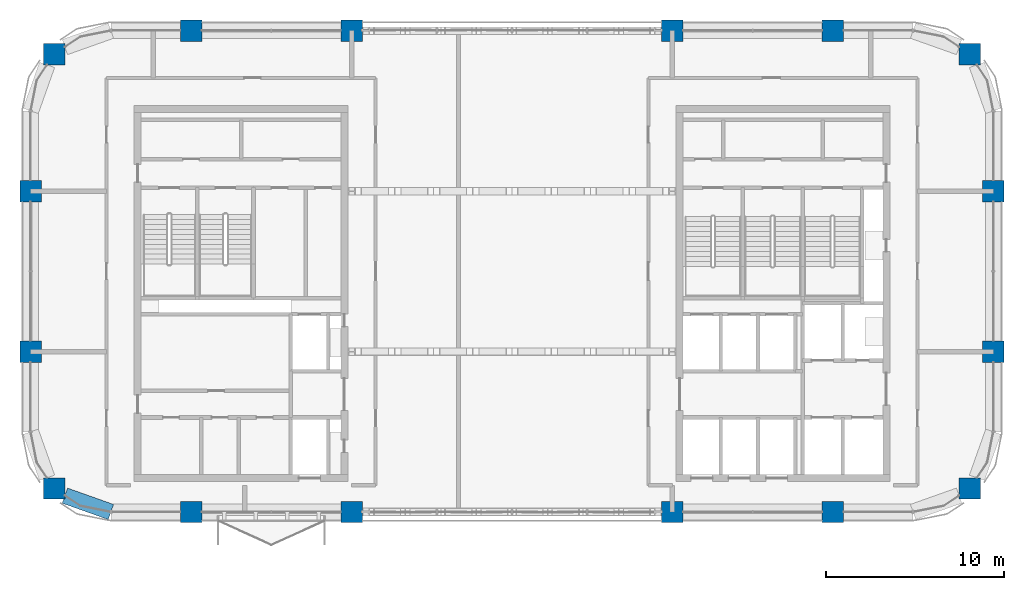
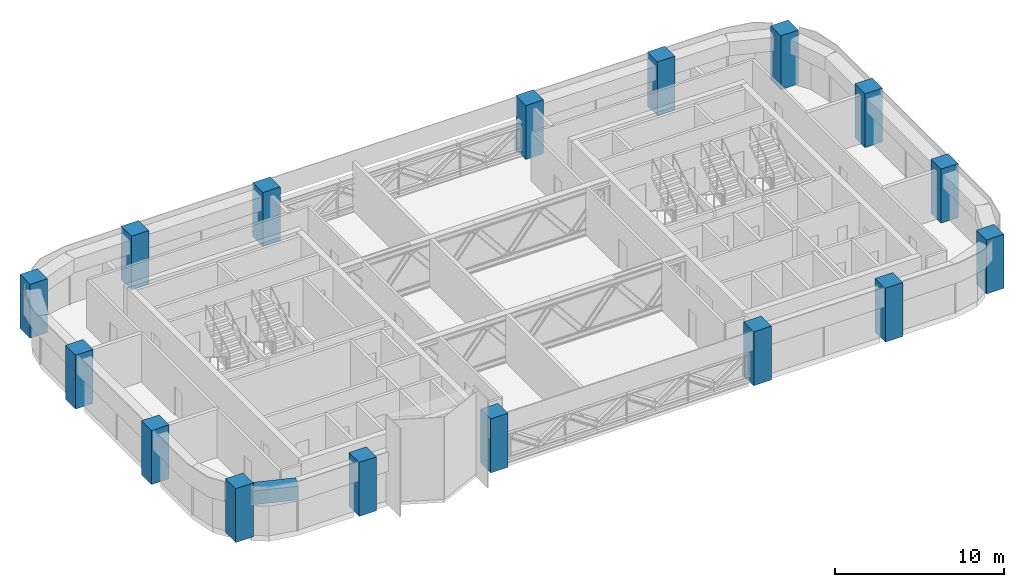
# One storey, part 1 of 14: 16 columns, 1 beam.
"""IFC4 building model written with IfcOpenShell, lengths in metres."""

from ifc_helpers import new_model, si_unit, direction, frame, origin, origin_2d, place, context, subcontext, project, spatial, rectangle, extrude, material, material_profile, profile_set, type_object, element, save


model = new_model("IFC4")

# Units and contexts
model_context = context("Model", 3, precision=1e-05, world=origin(), true_north=direction((0.0, 1.0)))
body_context = subcontext(model_context, "Body", "Model", "MODEL_VIEW")
ifc_project = project(units=[si_unit("LENGTHUNIT", "METRE"), si_unit("AREAUNIT", "SQUARE_METRE"), si_unit("VOLUMEUNIT", "CUBIC_METRE"), si_unit("PLANEANGLEUNIT", "RADIAN"), si_unit("MASSUNIT", "GRAM", prefix="KILO")], contexts=[model_context])

# Site, building, storey
site_placement = place(None, origin())
site = spatial("IfcSite", under=ifc_project, at=site_placement, CompositionType="ELEMENT")
building_placement = place(site_placement, origin())
building = spatial("IfcBuilding", under=site, at=building_placement, Name="Tessera Arch", CompositionType="ELEMENT")
storey_placement = place(building_placement, frame((0.0, 0.0, 226.699951171875)))
storey = spatial("IfcBuildingStorey", under=building, at=storey_placement, Name="L54", CompositionType="ELEMENT", Elevation=226.699951171875)

# Columns
ifc_material_1 = material(Name="Concrete C60/75", Category="concrete")
ifc_material_profile_1 = material_profile(ifc_material_1, rectangle(XDim=1.199951171875, YDim=1.199951171875, at=origin_2d()), Name="RC column 1200 x 1200 Concrete C60/75")
ifc_profile_set_1 = profile_set([ifc_material_profile_1], Name="Concrete C60/75")
column_type = type_object("IfcColumnType", Name="RC column 1200 x 1200 Concrete C60/75", PredefinedType="COLUMN", material=ifc_profile_set_1)
for number, where, z_axis, x_axis, name in (
    (1, (1.318115234375, 28.318115234375, 0.0), (0.0, 0.0, 1.0), (1.0, 0.0, 0.0), "Column C1D L54"),
    (2, (0.0, 36.0, 0.0), (0.0, 0.0, 1.0), (1.0, 0.0, 0.0), "Column C1E L54"),
    (3, (0.0, 45.0, 0.0), (0.0, 0.0, 1.0), (1.0, 0.0, 0.0), "Column C1F L54"),
    (4, (1.318115234375, 52.681884765625, 0.0), (0.0, 0.0, 1.0), (1.0, 0.0, 0.0), "Column C1G L54"),
    (5, (9.0, 27.0, 0.0), (0.0, 0.0, 1.0), (1.0, 0.0, 0.0), "Column C2D L54"),
    (6, (9.0, 54.0, 0.0), (0.0, 0.0, 1.0), (1.0, 0.0, 0.0), "Column C2G L54"),
    (7, (18.0, 27.0, 0.0), (0.0, 0.0, 1.0), (1.0, 0.0, 0.0), "Column C3D L54"),
    (8, (18.0, 54.0, 0.0), (0.0, 0.0, 1.0), (1.0, 0.0, 0.0), "Column C3G L54"),
    (9, (36.0, 27.0, 0.0), (0.0, 0.0, 1.0), (1.0, 0.0, 0.0), "Column C5D L54"),
    (10, (36.0, 54.0, 0.0), (0.0, 0.0, 1.0), (1.0, 0.0, 0.0), "Column C5G L54"),
    (11, (45.0, 27.0, 0.0), (0.0, 0.0, 1.0), (1.0, 0.0, 0.0), "Column C6D L54"),
    (12, (45.0, 54.0, 0.0), (0.0, 0.0, 1.0), (1.0, 0.0, 0.0), "Column C6G L54"),
    (13, (52.681884765625, 28.318115234375, 0.0), (0.0, 0.0, 1.0), (1.0, 0.0, 0.0), "Column C7D L54"),
    (14, (54.0, 36.0, 0.0), (0.0, 0.0, 1.0), (1.0, 0.0, 0.0), "Column C7E L54"),
    (15, (54.0, 45.0, 0.0), (0.0, 0.0, 1.0), (1.0, 0.0, 0.0), "Column C7F L54"),
    (16, (52.681884765625, 52.681884765625, 0.0), (0.0, 0.0, 1.0), (1.0, 0.0, 0.0), "Column C7G L54"),
):
    element("IfcColumn", number, at=place(storey_placement, frame(where, z_axis=z_axis, x_axis=x_axis)), inside=storey, type_object=column_type, Name=name, PredefinedType="COLUMN", context=body_context, shape_type="SweptSolid", body=[
        extrude(rectangle(XDim=1.199951171875, YDim=1.199951171875, at=origin_2d()), origin(), (0.0, 0.0, 1.0), 3.900146484375),
    ])

# Beam
ifc_material_2 = material(Name="Concrete C60/75", Category="concrete")
ifc_material_profile_2 = material_profile(ifc_material_2, rectangle(XDim=0.89990234375, YDim=1.0, at=origin_2d()), Name="RC spandrel beam 900 x 1000 Concrete C60/75")
ifc_profile_set_2 = profile_set([ifc_material_profile_2], Name="Concrete C60/75")
beam_type = type_object("IfcBeamType", Name="RC spandrel beam 900 x 1000 Concrete C60/75", PredefinedType="BEAM", material=ifc_profile_set_2)
beam_placement = place(storey_placement, frame((1.91796875, 27.9169921875, 3.0), z_axis=(0.942337127159, -0.334665114373, 0.0), x_axis=(0.334665114373, 0.942337127159, 0.0)))
element("IfcBeam", 17, at=beam_placement, inside=storey, type_object=beam_type, Name="Spandrel beam L54 S27.0/0.1", PredefinedType="BEAM", context=body_context, shape_type="SweptSolid", body=[
    extrude(rectangle(XDim=0.89990234375, YDim=1.0, at=origin_2d()), origin(), (0.0, 0.0, 1.0), 2.739990234375),
])

save(model, "model.ifc")
